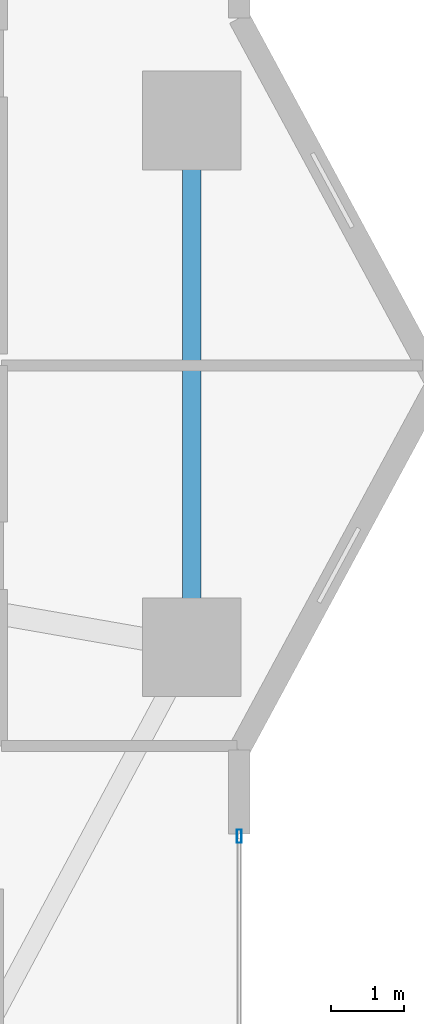
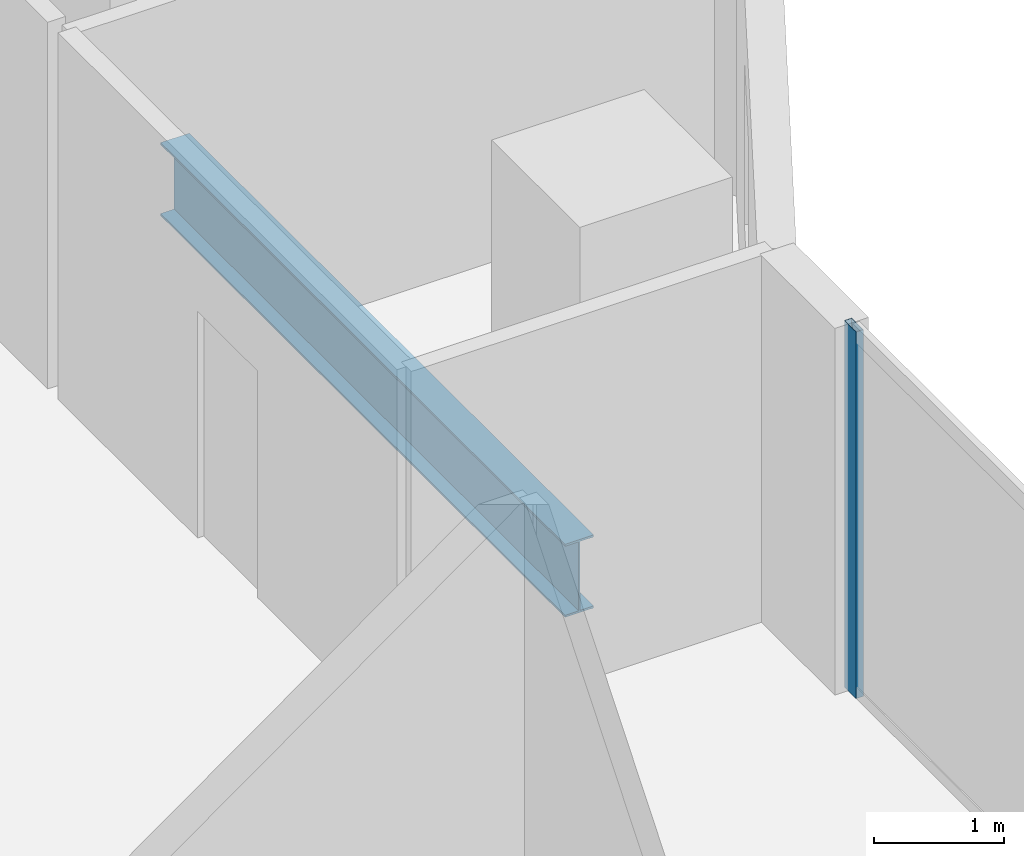
# One storey, part 13 of 29: 1 beam, 1 member, 1 element without a shape of its own.
"""IFC4 building model written with IfcOpenShell, lengths in metres."""

from ifc_helpers import new_model, si_unit, direction, frame, origin, origin_2d, place, context, subcontext, project, spatial, hollow_rectangle, i_section, extrude, material, layer, layer_set, material_profile, profile_set, type_object, element, aggregate, save


model = new_model("IFC4")

# Units and contexts
model_context = context("Model", 3, precision=1e-05, world=origin(), true_north=direction((0.0, 1.0)))
body_context = subcontext(model_context, "Body", "Model", "MODEL_VIEW")
ifc_project = project(units=[si_unit("LENGTHUNIT", "METRE"), si_unit("AREAUNIT", "SQUARE_METRE"), si_unit("VOLUMEUNIT", "CUBIC_METRE"), si_unit("PLANEANGLEUNIT", "RADIAN"), si_unit("MASSUNIT", "GRAM", prefix="KILO")], contexts=[model_context])

# Site, building, storey
site_placement = place(None, origin())
site = spatial("IfcSite", under=ifc_project, at=site_placement, CompositionType="ELEMENT")
building_placement = place(site_placement, origin())
building = spatial("IfcBuilding", under=site, at=building_placement, Name="Zuhayl Quay Hotel", CompositionType="ELEMENT")
storey_placement = place(building_placement, frame((0.0, 0.0, 113.89990234375)))
storey = spatial("IfcBuildingStorey", under=building, at=storey_placement, Name="L28", CompositionType="ELEMENT", Elevation=113.89990234375)

# Beam
ifc_material_1 = material(Name="Steel ASTM A992 Grade 50", Category="steel")
ifc_material_profile_1 = material_profile(ifc_material_1, i_section(OverallWidth=0.25390625, OverallDepth=0.68310546875, WebThickness=0.012451171875, FlangeThickness=0.018798828125, at=origin_2d()), Name="W27X94")
ifc_profile_set_1 = profile_set([ifc_material_profile_1], Name="Steel ASTM A992 Grade 50")
beam_type = type_object("IfcBeamType", Name="BM_B2_W27X94", PredefinedType="BEAM", material=ifc_profile_set_1)
beam_placement = place(storey_placement, frame((23.25, 3.39990234375, -0.5615234375), z_axis=(0.0, 1.0, 0.0), x_axis=(-1.0, 0.0, 0.0)))
element("IfcBeam", 1, at=beam_placement, inside=storey, type_object=beam_type, Name="L28 Floor Beam RG_L28_05", PredefinedType="BEAM", context=body_context, shape_type="SweptSolid", body=[
    extrude(i_section(OverallWidth=0.25390625, OverallDepth=0.68310546875, WebThickness=0.012451171875, FlangeThickness=0.018798828125, at=origin_2d()), origin(), (0.0, 0.0, 1.0), 6.2001953125),
])

# Curtain wall, member
ifc_material_2 = material(Name="Anodised Aluminium 6063-T6", Category="aluminium")
ifc_layer = layer(ifc_material_2, 0.179931640625, Name="Anodised Aluminium 6063-T6", Category="aluminium")
ifc_layer_set = layer_set([ifc_layer], Name="Anodised Aluminium 6063-T6")
curtain_wall_type = type_object("IfcCurtainWallType", Name="CW_SYS_Z2", PredefinedType="USERDEFINED", material=ifc_layer_set)
curtain_wall_placement = place(storey_placement, origin())
curtain_wall = element("IfcCurtainWall", 2, at=curtain_wall_placement, inside=storey, type_object=curtain_wall_type, Name="L28 Curtain Wall ENV_L28_E14_CW1", ObjectType="UNITISED CURTAIN WALL", PredefinedType="USERDEFINED")
ifc_material_3 = material(Name="Black-anodised aluminium 6063-T6", Category="aluminium")
ifc_material_profile_2 = material_profile(ifc_material_3, hollow_rectangle(XDim=0.06494140625, YDim=0.179931640625, WallThickness=0.00341796875, at=origin_2d()), Name="ALU180X65")
ifc_profile_set_2 = profile_set([ifc_material_profile_2], Name="Black-anodised aluminium 6063-T6")
member_type = type_object("IfcMemberType", Name="MB_CW_MUL_180", PredefinedType="MULLION", material=ifc_profile_set_2)
member_placement = place(storey_placement, frame((23.89990234375, 0.3173828125, 0.0), z_axis=(0.0, 0.0, 1.0), x_axis=(1.0, 0.0, 0.0)))
member = element("IfcMember", 3, at=member_placement, type_object=member_type, Name="CW-Z2 mullion 1", PredefinedType="MULLION", context=body_context, shape_type="SweptSolid", body=[
    extrude(hollow_rectangle(XDim=0.06494140625, YDim=0.179931640625, WallThickness=0.00341796875, at=origin_2d()), origin(), (0.0, 0.0, 1.0), 3.43017578125),
])
aggregate(curtain_wall, [member])

save(model, "model.ifc")
